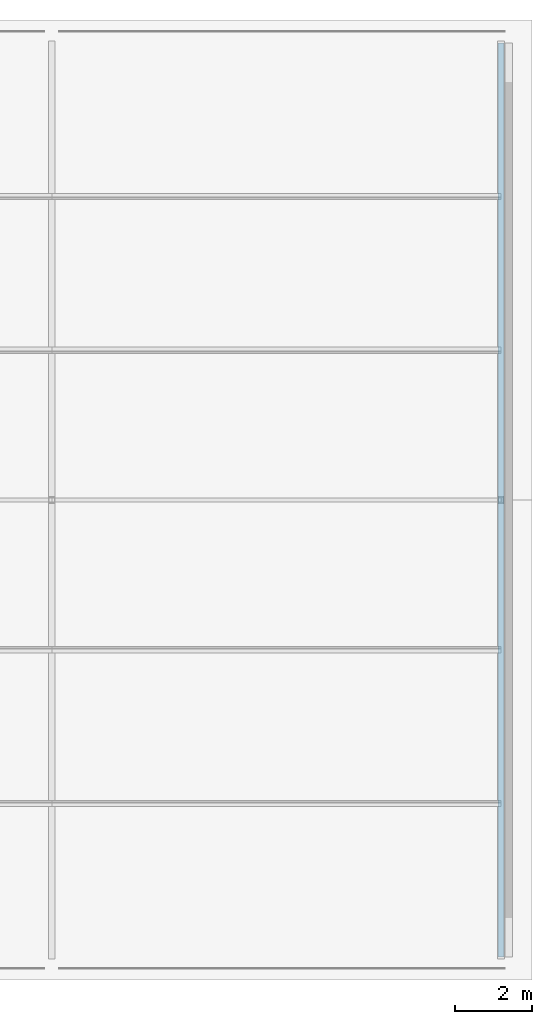
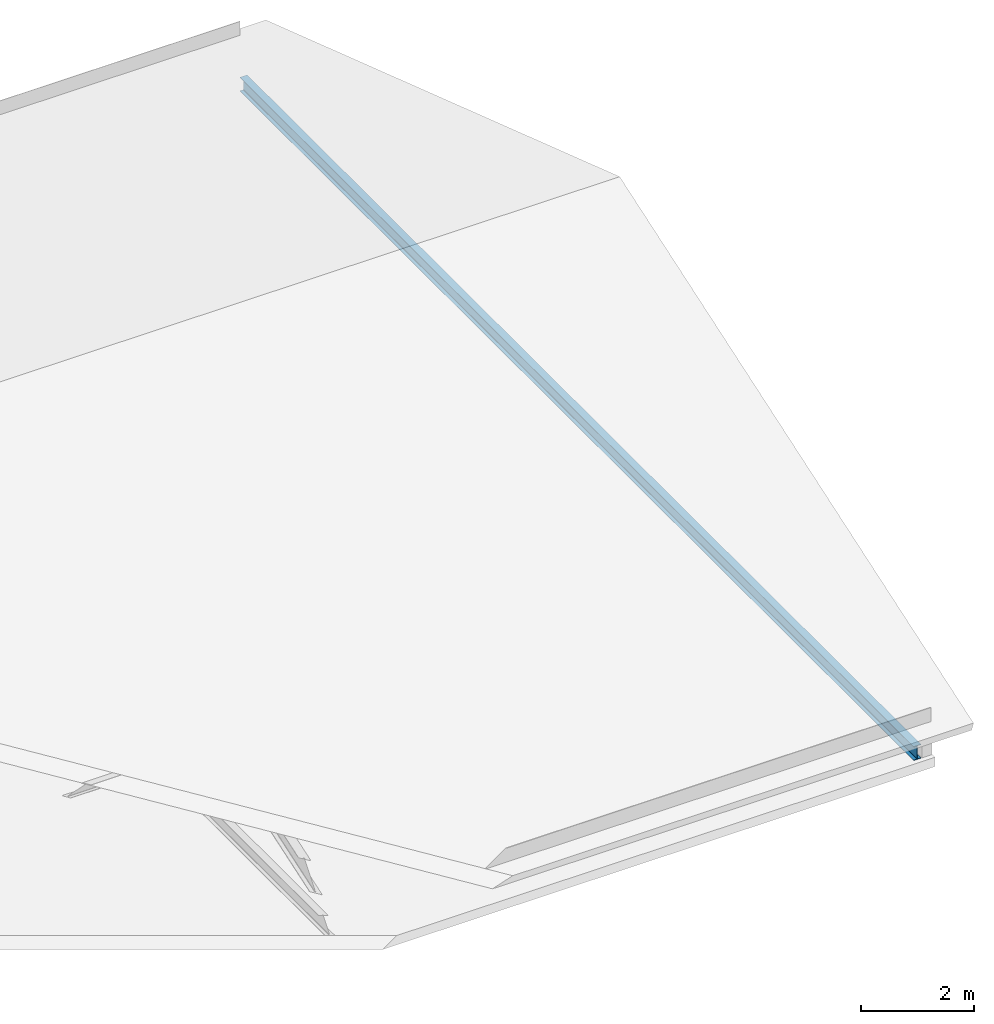
# One storey, part 9 of 12: 1 member.
"""IFC4 building model written with IfcOpenShell, lengths in metres."""

import ifcopenshell
import ifcopenshell.guid

model = None  # the IFC model being written
_history = None  # IfcOwnerHistory: only IFC2X3 demands one
_inside = {}  # id of a spatial element -> (the spatial element, [elements in it])
_under = {}  # id of a project, library or spatial element -> (it, [spatial elements below it])
_declared = {}  # id of a project -> (the project, [libraries it declares])
_typed = {}  # id of a type object -> (the type object, [elements of that type])
_made_of = {}  # id of a material, layer set ... -> (it, [elements and type objects made of it])


def new_model(schema):
    """Start an empty IFC model of exactly this schema.

    Asked for "IFC4X3", IfcOpenShell would pick the latest addendum, in which some entities
    have other attributes; the version numbers below select the first issue.
    IFC2X3 requires an IfcOwnerHistory on every rooted entity: one is made here for all.
    """
    global model, _history
    if schema == "IFC4X3":
        model = ifcopenshell.file(schema_version=(4, 3, 0, 0))
    else:
        model = ifcopenshell.file(schema=schema)
    _inside.clear()
    _under.clear()
    _declared.clear()
    _typed.clear()
    _made_of.clear()
    _history = None
    if model.schema == "IFC2X3":
        org = make("IfcOrganization", Name="unknown")
        user = make(
            "IfcPersonAndOrganization",
            ThePerson=make("IfcPerson", FamilyName="unknown"),
            TheOrganization=org,
        )
        app = make(
            "IfcApplication",
            ApplicationDeveloper=org,
            Version="unknown",
            ApplicationFullName="unknown",
            ApplicationIdentifier="unknown",
        )
        _history = make(
            "IfcOwnerHistory",
            OwningUser=user,
            OwningApplication=app,
            ChangeAction="ADDED",
            CreationDate=0,
        )
    return model


def make(cls, **values):
    """One entity of the class cls with the attributes given. An attribute that is None is left unset."""
    return model.create_entity(
        cls, **{name: value for name, value in values.items() if value is not None}
    )


def rooted(cls, **values):
    """An entity with a GlobalId (a new one), such as an element, a storey or a relation."""
    return make(cls, GlobalId=ifcopenshell.guid.new(), OwnerHistory=_history, **values)


def si_unit(unit_type, name, prefix=None):
    """IfcSIUnit, for example si_unit("LENGTHUNIT", "METRE", prefix="MILLI")."""
    return make("IfcSIUnit", UnitType=unit_type, Prefix=prefix, Name=name)


def assignment(units):
    """IfcUnitAssignment: the units of a project."""
    return None if units is None else make("IfcUnitAssignment", Units=units)


def point(xyz):
    """IfcCartesianPoint."""
    return None if xyz is None else make("IfcCartesianPoint", Coordinates=xyz)


def direction(xyz):
    """IfcDirection."""
    return None if xyz is None else make("IfcDirection", DirectionRatios=xyz)


def frame(location, z_axis=None, x_axis=None):
    """IfcAxis2Placement3D, a coordinate frame: its origin and axes. An axis left out is left unset."""
    return make(
        "IfcAxis2Placement3D",
        Location=point(location),
        Axis=direction(z_axis),
        RefDirection=direction(x_axis),
    )


def frame_2d(location, x_axis=None):
    """IfcAxis2Placement2D, a coordinate frame in the plane: its origin and x axis."""
    return make(
        "IfcAxis2Placement2D", Location=point(location), RefDirection=direction(x_axis)
    )


def origin():
    """The frame at (0, 0, 0) with its axes left unset."""
    return frame((0.0, 0.0, 0.0))


def origin_2d():
    """The frame at (0, 0) in the plane with its x axis left unset."""
    return frame_2d((0.0, 0.0))


def place(relative_to, where):
    """IfcLocalPlacement: puts the frame where relative to a parent placement (None: the world)."""
    return make(
        "IfcLocalPlacement", PlacementRelTo=relative_to, RelativePlacement=where
    )


def context(
    kind, dimensions, precision=None, world=None, true_north=None, identifier=None
):
    """IfcGeometricRepresentationContext, for example the 3D "Model" context."""
    return make(
        "IfcGeometricRepresentationContext",
        ContextIdentifier=identifier,
        ContextType=kind,
        CoordinateSpaceDimension=dimensions,
        Precision=precision,
        WorldCoordinateSystem=world,
        TrueNorth=true_north,
    )


def subcontext(parent, identifier, kind, view, scale=None):
    """IfcGeometricRepresentationSubContext, for example "Body" below "Model"."""
    return make(
        "IfcGeometricRepresentationSubContext",
        ContextIdentifier=identifier,
        ContextType=kind,
        ParentContext=parent,
        TargetScale=scale,
        TargetView=view,
    )


def project(units=None, contexts=None):
    """IfcProject with its units and contexts."""
    return rooted(
        "IfcProject",
        Name="project",
        RepresentationContexts=contexts,
        UnitsInContext=assignment(units),
    )


def spatial(cls, under=None, at=None, **own):
    """A site, building, storey or space (cls), placed at a placement, below another one or the project."""
    s = rooted(cls, ObjectPlacement=at, **own)
    if under is not None:
        _under.setdefault(under.id(), (under, []))[1].append(s)
    return s


def profile(cls, at=None, kind="AREA", **sizes):
    """A parametric profile (cls). Its sizes go by their IFC names, for example OverallWidth=200.0."""
    return make(cls, ProfileType=kind, Position=at, **sizes)


def i_section(**sizes):
    """IfcIShapeProfileDef."""
    return profile("IfcIShapeProfileDef", **sizes)


def extrude(swept, where, along, depth):
    """IfcExtrudedAreaSolid: the profile swept, set in the frame where, extruded along a direction by depth."""
    return make(
        "IfcExtrudedAreaSolid",
        SweptArea=swept,
        Position=where,
        ExtrudedDirection=direction(along),
        Depth=depth,
    )


def shape(context_of_items, identifier, shape_type, items):
    """IfcShapeRepresentation: the items that make up one representation, for example the "Body"."""
    return make(
        "IfcShapeRepresentation",
        ContextOfItems=context_of_items,
        RepresentationIdentifier=identifier,
        RepresentationType=shape_type,
        Items=items,
    )


def material(Name=None, Category=None):
    """IfcMaterial."""
    return make("IfcMaterial", Name=Name, Category=Category)


def material_profile(
    of_material, cross_section, Name=None, Category=None, Priority=None
):
    """IfcMaterialProfile: a cross section and its material."""
    return make(
        "IfcMaterialProfile",
        Name=Name,
        Material=of_material,
        Profile=cross_section,
        Priority=Priority,
        Category=Category,
    )


def profile_set(profiles, Name=None, composite=None):
    """IfcMaterialProfileSet."""
    return make(
        "IfcMaterialProfileSet",
        Name=Name,
        MaterialProfiles=profiles,
        CompositeProfile=composite,
    )


def made_of(thing, what):
    """Note that an element or type object is made of a material, layer set ...; save() writes the relation."""
    if what is not None:
        _made_of.setdefault(what.id(), (what, []))[1].append(thing)
    return thing


def type_object(cls, material=None, **own):
    """A type object (cls), such as IfcWallType, which elements share."""
    return made_of(rooted(cls, **own), material)


def element(
    cls,
    number,
    at=None,
    inside=None,
    cuts=None,
    type_object=None,
    material=None,
    context=None,
    identifier="Body",
    shape_type=None,
    held_by="IfcProductDefinitionShape",
    body=None,
    shapes=None,
    **own,
):
    """One element of the class cls, such as IfcWall. Its Tag is "e" and its number.

    at: its placement. inside: the storey or other place that contains it. cuts: it is an
    opening in that element (IfcRelVoidsElement). A single representation is given by context,
    identifier, shape_type and body (its items); several are given by shapes. held_by: the class
    of the entity that holds the representations. save() writes the other relations.
    """
    e = rooted(cls, Tag="e%d" % number, ObjectPlacement=at, **own)
    if body is not None:
        shapes = [shape(context, identifier, shape_type, body)]
    if shapes is not None:
        e.Representation = make(held_by, Representations=shapes)
    if inside is not None:
        _inside.setdefault(inside.id(), (inside, []))[1].append(e)
    if cuts is not None:
        rooted(
            "IfcRelVoidsElement", RelatingBuildingElement=cuts, RelatedOpeningElement=e
        )
    if type_object is not None:
        _typed.setdefault(type_object.id(), (type_object, []))[1].append(e)
    return made_of(e, material)


def aggregate(whole, parts):
    """IfcRelAggregates: a whole, such as a stair, and the parts it consists of."""
    return rooted("IfcRelAggregates", RelatingObject=whole, RelatedObjects=parts)


def save(model, path):
    """Write the relations noted so far, then the file.

    IfcRelAggregates (storeys below a building ...), IfcRelContainedInSpatialStructure (elements
    in a storey), IfcRelDefinesByType, IfcRelAssociatesMaterial and IfcRelDeclares: one each for
    every whole, place, type object, material and project.
    """
    for whole, parts in _under.values():
        aggregate(whole, parts)
    for where, things in _inside.values():
        rooted(
            "IfcRelContainedInSpatialStructure",
            RelatedElements=things,
            RelatingStructure=where,
        )
    for kind, things in _typed.values():
        rooted("IfcRelDefinesByType", RelatedObjects=things, RelatingType=kind)
    for what, things in _made_of.values():
        rooted("IfcRelAssociatesMaterial", RelatedObjects=things, RelatingMaterial=what)
    for by, libraries in _declared.values():
        rooted("IfcRelDeclares", RelatingContext=by, RelatedDefinitions=libraries)
    model.write(path)


model = new_model("IFC4")

# Units and contexts
model_context = context("Model", 3, precision=1e-05, world=origin(), true_north=direction((0.0, 1.0)))
body_context = subcontext(model_context, "Body", "Model", "MODEL_VIEW")
ifc_project = project(units=[si_unit("LENGTHUNIT", "METRE"), si_unit("AREAUNIT", "SQUARE_METRE"), si_unit("VOLUMEUNIT", "CUBIC_METRE"), si_unit("PLANEANGLEUNIT", "RADIAN"), si_unit("MASSUNIT", "GRAM", prefix="KILO")], contexts=[model_context])

# Site, building, storey
site_placement = place(None, origin())
site = spatial("IfcSite", under=ifc_project, at=site_placement, CompositionType="ELEMENT")
building_placement = place(site_placement, origin())
building = spatial("IfcBuilding", under=site, at=building_placement, Name="Lilac Gate Convention Centre", CompositionType="ELEMENT")
storey_placement = place(building_placement, frame((0.0, 0.0, 71.39990234375)))
storey = spatial("IfcBuildingStorey", under=building, at=storey_placement, Name="Roof", CompositionType="ELEMENT", Elevation=71.39990234375)

# Member
ifc_material = material(Name="Steel Q355B", Category="steel")
ifc_material_profile = material_profile(ifc_material, i_section(OverallWidth=0.14990234375, OverallDepth=0.300048828125, WebThickness=0.006591796875, FlangeThickness=0.009033203125, FilletRadius=0.012939453125, at=origin_2d()), Name="HN300x150x6.5x9")
ifc_profile_set = profile_set([ifc_material_profile], Name="Steel Q355B")
member_type = type_object("IfcMemberType", Name="Crown tie HN300x150x6.5x9", PredefinedType="STRUT", material=ifc_profile_set)
member_placement = place(storey_placement, frame((89.699951171875, 222.10009765625, 0.150146484375), z_axis=(0.0, 1.0, 0.0), x_axis=(-1.0, 0.0, 0.0)))
element("IfcMember", 1, at=member_placement, inside=storey, type_object=member_type, Name="CT1 crown frame 5 tie", PredefinedType="STRUT", context=body_context, shape_type="SweptSolid", body=[
    extrude(i_section(OverallWidth=0.14990234375, OverallDepth=0.300048828125, WebThickness=0.006591796875, FlangeThickness=0.009033203125, FilletRadius=0.012939453125, at=origin_2d()), origin(), (0.0, 0.0, 1.0), 23.7998046875),
])

save(model, "model.ifc")
